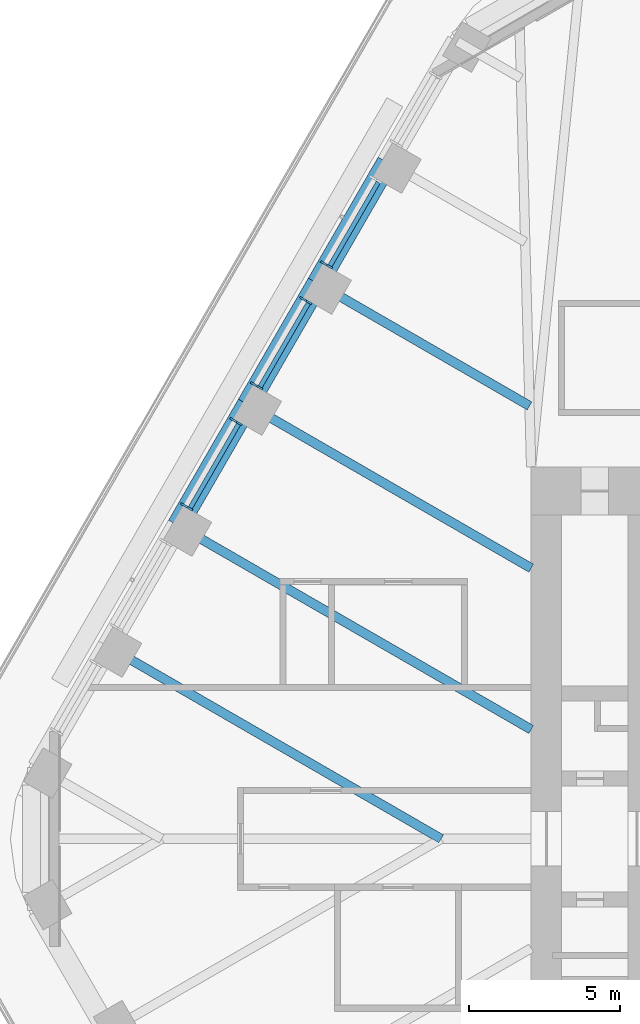
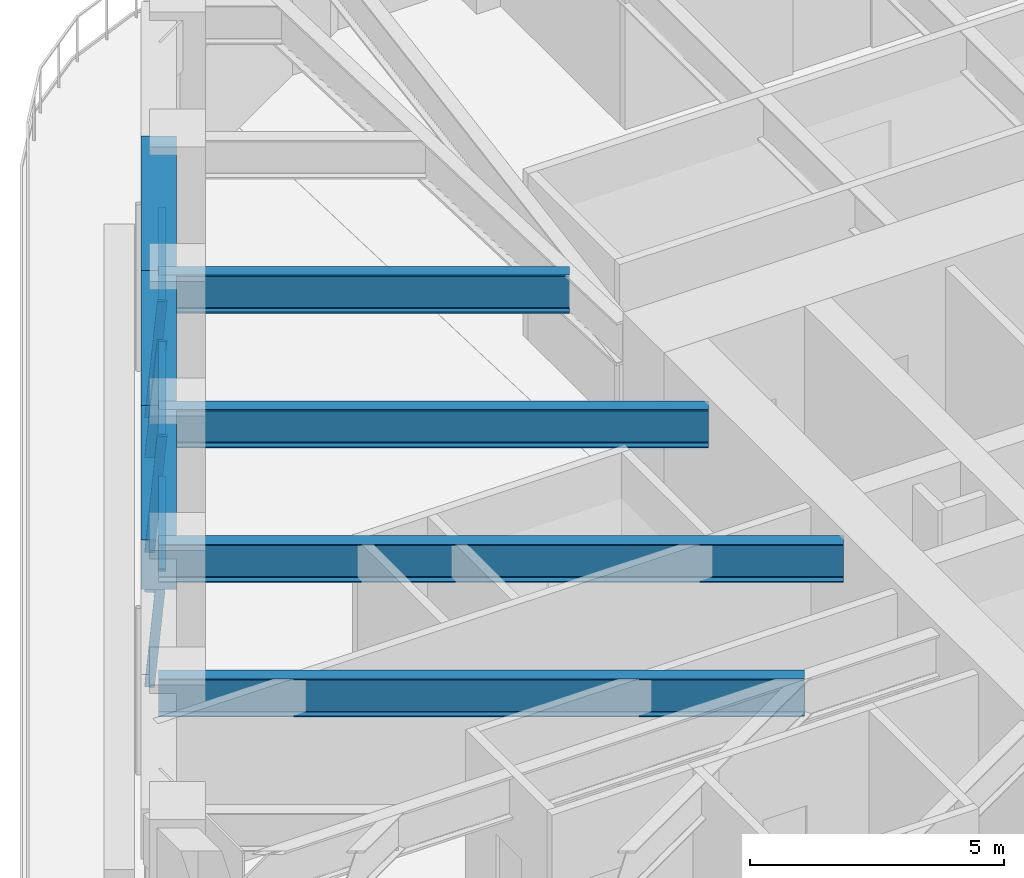
# One storey, part 7 of 20: 8 members, 7 beams, 3 elements without a shape of their own.
"""IFC4 building model written with IfcOpenShell, lengths in metres."""

from ifc_helpers import new_model, si_unit, direction, frame, origin, origin_2d, place, context, subcontext, project, spatial, rectangle, i_section, extrude, material, material_profile, profile_set, type_object, element, aggregate, save


model = new_model("IFC4")

# Units and contexts
model_context = context("Model", 3, precision=1e-05, world=origin(), true_north=direction((0.0, 1.0)))
body_context = subcontext(model_context, "Body", "Model", "MODEL_VIEW")
ifc_project = project(units=[si_unit("LENGTHUNIT", "METRE"), si_unit("AREAUNIT", "SQUARE_METRE"), si_unit("VOLUMEUNIT", "CUBIC_METRE"), si_unit("PLANEANGLEUNIT", "RADIAN"), si_unit("MASSUNIT", "GRAM", prefix="KILO")], contexts=[model_context])

# Site, building, storey
site_placement = place(None, origin())
site = spatial("IfcSite", under=ifc_project, at=site_placement, CompositionType="ELEMENT")
building_placement = place(site_placement, origin())
building = spatial("IfcBuilding", under=site, at=building_placement, Name="Tarfa Lantern Tower", CompositionType="ELEMENT")
storey_placement = place(building_placement, frame((0.0, 0.0, 236.5)))
storey = spatial("IfcBuildingStorey", under=building, at=storey_placement, Name="L53", CompositionType="ELEMENT", Elevation=236.5)

# Curtain wall, member
ifc_material_1 = material(Name="Aluminium framed curtain wall", Category="aluminium")
curtain_wall_type = type_object("IfcCurtainWallType", Name="CW3 CANTED GLAZING HIGH ZONE 2800", PredefinedType="USERDEFINED", material=ifc_material_1)
curtain_wall_1_placement = place(storey_placement, origin())
curtain_wall_1 = element("IfcCurtainWall", 1, at=curtain_wall_1_placement, inside=storey, type_object=curtain_wall_type, Name="CW3 NW L53", ObjectType="CURTAIN WALL", PredefinedType="USERDEFINED")
ifc_material_2 = material(Name="Aluminium mullion", Category="aluminium")
ifc_material_profile_1 = material_profile(ifc_material_2, rectangle(XDim=0.06494140625, YDim=0.199951171875, at=origin_2d()), Name="AL MULLION 65x200")
ifc_profile_set_1 = profile_set([ifc_material_profile_1], Name="Aluminium mullion")
member_type_1 = type_object("IfcMemberType", Name="CWM1 MULLION 65x200", PredefinedType="MULLION", material=ifc_profile_set_1)
member_1_placement = place(storey_placement, frame((-22.37744140625, 19.041015625, 0.0), z_axis=(0.077032386753, -0.044465143199, 0.996036576854), x_axis=(0.499919672301, 0.866071776036, 0.0)))
member_1 = element("IfcMember", 2, at=member_1_placement, type_object=member_type_1, Name="CW3 mullion 2", PredefinedType="MULLION", context=body_context, shape_type="SweptSolid", body=[
    extrude(rectangle(XDim=0.06494140625, YDim=0.199951171875, at=origin_2d()), origin(), (0.0, 0.0, 1.0), 2.811279296875),
])

# Curtain wall, members
curtain_wall_2_placement = place(storey_placement, origin())
curtain_wall_2 = element("IfcCurtainWall", 3, at=curtain_wall_2_placement, inside=storey, type_object=curtain_wall_type, Name="CW3 NW L53", ObjectType="CURTAIN WALL", PredefinedType="USERDEFINED")
member_2_placement = place(storey_placement, frame((-23.06005859375, 17.85888671875, 0.0), z_axis=(0.077032386753, -0.044465143199, 0.996036576854), x_axis=(0.499919672301, 0.866071776036, 0.0)))
member_2 = element("IfcMember", 4, at=member_2_placement, type_object=member_type_1, Name="CW3 mullion 1", PredefinedType="MULLION", context=body_context, shape_type="SweptSolid", body=[
    extrude(rectangle(XDim=0.06494140625, YDim=0.199951171875, at=origin_2d()), origin(), (0.0, 0.0, 1.0), 2.811279296875),
])
member_3_placement = place(storey_placement, frame((-24.686767578125, 15.041015625, 0.0), z_axis=(0.076946055247, -0.044465440504, 0.996043236603), x_axis=(0.500342721131, 0.865827443207, 0.0)))
member_3 = element("IfcMember", 5, at=member_3_placement, type_object=member_type_1, Name="CW3 mullion 2", PredefinedType="MULLION", context=body_context, shape_type="SweptSolid", body=[
    extrude(rectangle(XDim=0.06494140625, YDim=0.199951171875, at=origin_2d()), origin(), (0.0, 0.0, 1.0), 2.811279296875),
])

curtain_wall_3_placement = place(storey_placement, origin())
curtain_wall_3 = element("IfcCurtainWall", 6, at=curtain_wall_3_placement, inside=storey, type_object=curtain_wall_type, Name="CW3 NW L53", ObjectType="CURTAIN WALL", PredefinedType="USERDEFINED")
member_4_placement = place(storey_placement, frame((-25.369384765625, 13.85888671875, 0.0), z_axis=(0.077032386753, -0.044465143199, 0.996036576854), x_axis=(0.499919672301, 0.866071776036, 0.0)))
member_4 = element("IfcMember", 7, at=member_4_placement, type_object=member_type_1, Name="CW3 mullion 1", PredefinedType="MULLION", context=body_context, shape_type="SweptSolid", body=[
    extrude(rectangle(XDim=0.06494140625, YDim=0.199951171875, at=origin_2d()), origin(), (0.0, 0.0, 1.0), 2.811279296875),
])
member_5_placement = place(storey_placement, frame((-26.996337890625, 11.041015625, 0.0), z_axis=(0.077032386753, -0.044465143199, 0.996036576854), x_axis=(0.499919672301, 0.866071776036, 0.0)))
member_5 = element("IfcMember", 8, at=member_5_placement, type_object=member_type_1, Name="CW3 mullion 2", PredefinedType="MULLION", context=body_context, shape_type="SweptSolid", body=[
    extrude(rectangle(XDim=0.06494140625, YDim=0.199951171875, at=origin_2d()), origin(), (0.0, 0.0, 1.0), 2.811279296875),
])

# Member
ifc_material_3 = material(Name="Aluminium transom", Category="aluminium")
ifc_material_profile_2 = material_profile(ifc_material_3, rectangle(XDim=0.14990234375, YDim=0.06494140625, at=origin_2d()), Name="AL TRANSOM 150x65")
ifc_profile_set_2 = profile_set([ifc_material_profile_2], Name="Aluminium transom")
member_type_2 = type_object("IfcMemberType", Name="CWT1 TRANSOM 150x65", PredefinedType="USERDEFINED", material=ifc_profile_set_2)
member_6_placement = place(storey_placement, frame((-20.552734375, 21.707275390625, 2.767578125), z_axis=(-0.500000789788, -0.8660249478, 0.0), x_axis=(0.8660249478, -0.500000789788, 0.0)))
member_6 = element("IfcMember", 9, at=member_6_placement, type_object=member_type_2, Name="CW3 transom 1.2", ObjectType="TRANSOM", PredefinedType="USERDEFINED", context=body_context, shape_type="SweptSolid", body=[
    extrude(rectangle(XDim=0.14990234375, YDim=0.06494140625, at=origin_2d()), origin(), (0.0, 0.0, 1.0), 3.18896484375),
])

aggregate(curtain_wall_1, [member_1, member_6])

member_7_placement = place(storey_placement, frame((-22.8623046875, 17.707275390625, 2.767578125), z_axis=(-0.499943367995, -0.866058097819, 0.0), x_axis=(0.866058097819, -0.499943367995, 0.0)))
member_7 = element("IfcMember", 10, at=member_7_placement, type_object=member_type_2, Name="CW3 transom 1.2", ObjectType="TRANSOM", PredefinedType="USERDEFINED", context=body_context, shape_type="SweptSolid", body=[
    extrude(rectangle(XDim=0.14990234375, YDim=0.06494140625, at=origin_2d()), origin(), (0.0, 0.0, 1.0), 3.188720703125),
])

aggregate(curtain_wall_2, [member_2, member_3, member_7])

member_8_placement = place(storey_placement, frame((-25.171630859375, 13.707275390625, 2.767578125), z_axis=(-0.500000789788, -0.8660249478, 0.0), x_axis=(0.8660249478, -0.500000789788, 0.0)))
member_8 = element("IfcMember", 11, at=member_8_placement, type_object=member_type_2, Name="CW3 transom 1.2", ObjectType="TRANSOM", PredefinedType="USERDEFINED", context=body_context, shape_type="SweptSolid", body=[
    extrude(rectangle(XDim=0.14990234375, YDim=0.06494140625, at=origin_2d()), origin(), (0.0, 0.0, 1.0), 3.18896484375),
])

aggregate(curtain_wall_3, [member_4, member_5, member_8])

# Beams
ifc_material_4 = material(Name="Concrete C80/95", Category="concrete")
ifc_material_profile_3 = material_profile(ifc_material_4, rectangle(XDim=0.699951171875, YDim=1.199951171875, at=origin_2d()), Name="RC 700x1200")
ifc_profile_set_3 = profile_set([ifc_material_profile_3], Name="Concrete C80/95")
beam_type_1 = type_object("IfcBeamType", Name="EB3 RC 700x1200", PredefinedType="SPANDREL", material=ifc_profile_set_3)
beam_1_placement = place(storey_placement, frame((-20.25341796875, 22.360107421875, 3.39990234375), z_axis=(-0.499987836815, -0.866032426089, 0.0), x_axis=(0.866032426089, -0.499987836815, 0.0)))
element("IfcBeam", 12, at=beam_1_placement, inside=storey, type_object=beam_type_1, Name="Edge beam NW1", PredefinedType="SPANDREL", context=body_context, shape_type="SweptSolid", body=[
    extrude(rectangle(XDim=0.699951171875, YDim=1.199951171875, at=origin_2d()), origin(), (0.0, 0.0, 1.0), 4.61865234375),
])
beam_2_placement = place(storey_placement, frame((-22.562744140625, 18.360107421875, 3.39990234375), z_axis=(-0.500027479704, -0.866009537788, 0.0), x_axis=(0.866009537788, -0.500027479704, 0.0)))
element("IfcBeam", 13, at=beam_2_placement, inside=storey, type_object=beam_type_1, Name="Edge beam NW2", PredefinedType="SPANDREL", context=body_context, shape_type="SweptSolid", body=[
    extrude(rectangle(XDim=0.699951171875, YDim=1.199951171875, at=origin_2d()), origin(), (0.0, 0.0, 1.0), 4.618896484375),
])
beam_3_placement = place(storey_placement, frame((-24.872314453125, 14.360107421875, 3.39990234375), z_axis=(-0.499987836815, -0.866032426089, 0.0), x_axis=(0.866032426089, -0.499987836815, 0.0)))
element("IfcBeam", 14, at=beam_3_placement, inside=storey, type_object=beam_type_1, Name="Edge beam NW3", PredefinedType="SPANDREL", context=body_context, shape_type="SweptSolid", body=[
    extrude(rectangle(XDim=0.699951171875, YDim=1.199951171875, at=origin_2d()), origin(), (0.0, 0.0, 1.0), 4.61865234375),
])
ifc_material_5 = material(Name="Steel S460M", Category="steel")
ifc_material_profile_4 = material_profile(ifc_material_5, i_section(OverallWidth=0.305419921875, OverallDepth=0.91845703125, WebThickness=0.017333984375, FlangeThickness=0.02783203125, FilletRadius=0.01904296875, at=origin_2d()), Name="UB914x305x253")
ifc_profile_set_4 = profile_set([ifc_material_profile_4], Name="Steel S460M")
beam_type_2 = type_object("IfcBeamType", Name="UB914x305x253", PredefinedType="BEAM", material=ifc_profile_set_4)
beam_4_placement = place(storey_placement, frame((-22.562744140625, 18.360107421875, 3.540771484375), z_axis=(0.866010787764, -0.500025314835, 0.0), x_axis=(0.500025314835, 0.866010787764, 0.0)))
element("IfcBeam", 15, at=beam_4_placement, inside=storey, type_object=beam_type_2, Name="Floor beam NW2", PredefinedType="BEAM", context=body_context, shape_type="SweptSolid", body=[
    extrude(i_section(OverallWidth=0.305419921875, OverallDepth=0.91845703125, WebThickness=0.017333984375, FlangeThickness=0.02783203125, FilletRadius=0.01904296875, at=origin_2d()), origin(), (0.0, 0.0, 1.0), 8.09423828125),
])
beam_5_placement = place(storey_placement, frame((-24.872314453125, 14.360107421875, 3.540771484375), z_axis=(0.8660244219, -0.500001700669, 0.0), x_axis=(0.500001700669, 0.8660244219, 0.0)))
element("IfcBeam", 16, at=beam_5_placement, inside=storey, type_object=beam_type_2, Name="Floor beam NW3", PredefinedType="BEAM", context=body_context, shape_type="SweptSolid", body=[
    extrude(i_section(OverallWidth=0.305419921875, OverallDepth=0.91845703125, WebThickness=0.017333984375, FlangeThickness=0.02783203125, FilletRadius=0.01904296875, at=origin_2d()), origin(), (0.0, 0.0, 1.0), 10.822265625),
])
beam_6_placement = place(storey_placement, frame((-27.181640625, 10.360107421875, 3.540771484375), z_axis=(0.866018002818, -0.500012818631, 0.0), x_axis=(0.500012818631, 0.866018002818, 0.0)))
element("IfcBeam", 17, at=beam_6_placement, inside=storey, type_object=beam_type_2, Name="Floor beam NW4", PredefinedType="BEAM", context=body_context, shape_type="SweptSolid", body=[
    extrude(i_section(OverallWidth=0.305419921875, OverallDepth=0.91845703125, WebThickness=0.017333984375, FlangeThickness=0.02783203125, FilletRadius=0.01904296875, at=origin_2d()), origin(), (0.0, 0.0, 1.0), 13.489013671875),
])
beam_7_placement = place(storey_placement, frame((-29.490966796875, 6.360107421875, 3.540771484375), z_axis=(0.866022258038, -0.500005448553, 0.0), x_axis=(0.500005448553, 0.866022258038, 0.0)))
element("IfcBeam", 18, at=beam_7_placement, inside=storey, type_object=beam_type_2, Name="Floor beam NW5", PredefinedType="BEAM", context=body_context, shape_type="SweptSolid", body=[
    extrude(i_section(OverallWidth=0.305419921875, OverallDepth=0.91845703125, WebThickness=0.017333984375, FlangeThickness=0.02783203125, FilletRadius=0.01904296875, at=origin_2d()), origin(), (0.0, 0.0, 1.0), 12.719970703125),
])

save(model, "model.ifc")
